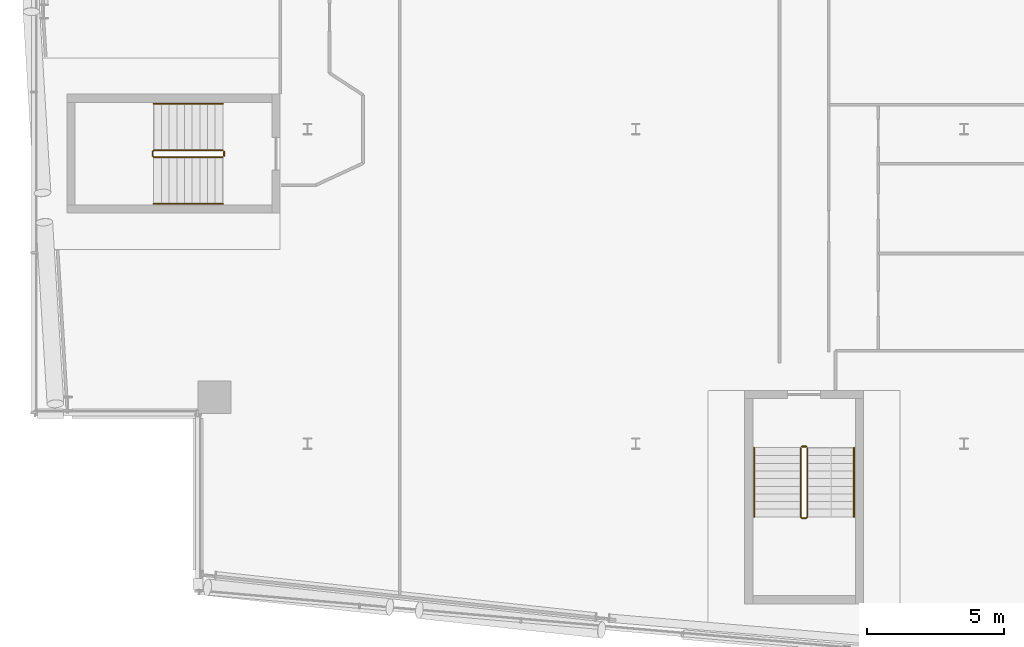
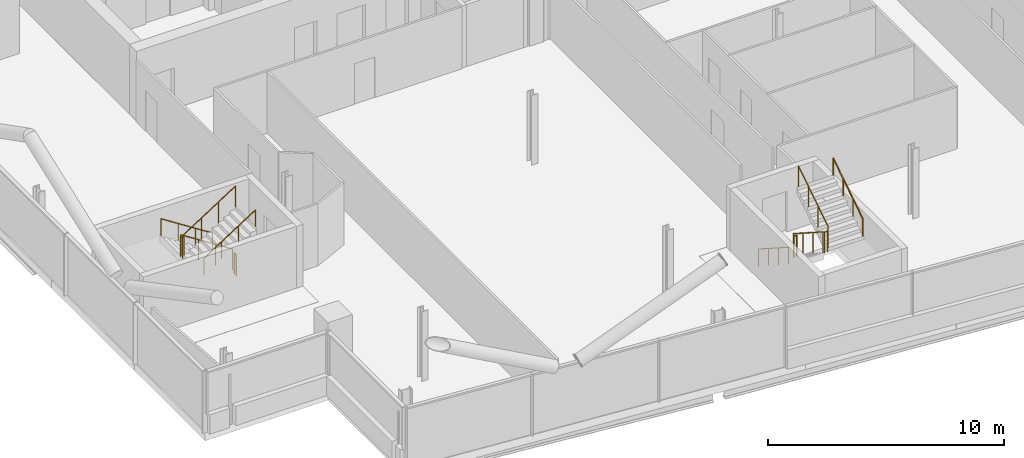
# One storey, part 24 of 26: 8 railings.
"""IFC4 building model written with IfcOpenShell, lengths in metres."""

from ifc_helpers import new_model, si_unit, direction, frame, origin, origin_2d, place, context, subcontext, project, spatial, circle, extrude, material, type_object, element, save


model = new_model("IFC4")

# Units and contexts
model_context = context("Model", 3, precision=1e-05, world=origin(), true_north=direction((0.0, 1.0)))
body_context = subcontext(model_context, "Body", "Model", "MODEL_VIEW")
ifc_project = project(units=[si_unit("LENGTHUNIT", "METRE"), si_unit("AREAUNIT", "SQUARE_METRE"), si_unit("VOLUMEUNIT", "CUBIC_METRE"), si_unit("PLANEANGLEUNIT", "RADIAN"), si_unit("MASSUNIT", "GRAM", prefix="KILO")], contexts=[model_context])

# Site, building, storey
site_placement = place(None, origin())
site = spatial("IfcSite", under=ifc_project, at=site_placement, CompositionType="ELEMENT")
building_placement = place(site_placement, origin())
building = spatial("IfcBuilding", under=site, at=building_placement, Name="Wharfspan Tower", CompositionType="ELEMENT")
storey_placement = place(building_placement, frame((0.0, 0.0, 235.899902)))
storey = spatial("IfcBuildingStorey", under=building, at=storey_placement, Name="L59", CompositionType="ELEMENT", Elevation=235.899902)

# Railings
ifc_material = material(Name="Steel S355J2", Category="steel")
railing_type_1 = type_object("IfcRailingType", Name="Stair guard 1100", PredefinedType="GUARDRAIL", material=ifc_material)
railing_1_placement = place(storey_placement, frame((20.899902, 22.225098, 0.180176)))
element("IfcRailing", 1, at=railing_1_placement, inside=storey, type_object=railing_type_1, Name="L59 ST3 stair guard 1", PredefinedType="GUARDRAIL", context=body_context, shape_type="SweptSolid", body=[
    extrude(circle(Radius=0.023926, at=origin_2d()), frame((0.0, 0.0, 1.076172), z_axis=(-0.8412, 0.0, 0.540725), x_axis=(0.0, -1.0, 0.0)), (0.0, 0.0, 1.0), 2.99585),
    extrude(circle(Radius=0.023926, at=origin_2d()), frame((-2.52002, 0.0, 2.695801), z_axis=(-0.705376, -0.708834, 0.0), x_axis=(0.708834, -0.705376, 0.0)), (0.0, 0.0, 1.0), 0.070557),
    extrude(circle(Radius=0.023926, at=origin_2d()), frame((-2.569824, -0.050049, 2.695801), z_axis=(0.0, -1.0, 0.0), x_axis=(1.0, 0.0, 0.0)), (0.0, 0.0, 1.0), 0.150146),
    extrude(circle(Radius=0.023926, at=origin_2d()), frame((-2.569824, -0.200195, 2.695801), z_axis=(0.257753, -0.257753, 0.931196), x_axis=(0.707107, 0.707107, 0.0)), (0.0, 0.0, 1.0), 0.193115),
    extrude(circle(Radius=0.023926, at=origin_2d()), frame((-2.52002, -0.25, 2.875977), z_axis=(0.841163, 0.0, 0.540782), x_axis=(0.0, 1.0, 0.0)), (0.0, 0.0, 1.0), 2.99585),
    extrude(circle(Radius=0.020996, at=origin_2d()), origin(), (0.0, 0.0, 1.0), 1.052002),
    extrude(circle(Radius=0.020996, at=origin_2d()), frame((-0.840088, 0.0, 0.540039)), (0.0, 0.0, 1.0), 1.052002),
    extrude(circle(Radius=0.020996, at=origin_2d()), frame((-1.679932, 0.0, 1.079834)), (0.0, 0.0, 1.0), 1.052002),
    extrude(circle(Radius=0.020996, at=origin_2d()), frame((-2.52002, 0.0, 1.619873)), (0.0, 0.0, 1.0), 1.052002),
    extrude(circle(Radius=0.020996, at=origin_2d()), frame((-2.569824, -0.050049, 1.619873)), (0.0, 0.0, 1.0), 1.052002),
    extrude(circle(Radius=0.020996, at=origin_2d()), frame((-2.569824, -0.200195, 1.619873)), (0.0, 0.0, 1.0), 1.052002),
    extrude(circle(Radius=0.020996, at=origin_2d()), frame((-2.52002, -0.25, 1.799805)), (0.0, 0.0, 1.0), 1.052002),
    extrude(circle(Radius=0.020996, at=origin_2d()), frame((-1.679932, -0.25, 2.339844)), (0.0, 0.0, 1.0), 1.052002),
    extrude(circle(Radius=0.020996, at=origin_2d()), frame((-0.840088, -0.25, 2.879883)), (0.0, 0.0, 1.0), 1.052002),
    extrude(circle(Radius=0.020996, at=origin_2d()), frame((0.0, -0.25, 3.419922)), (0.0, 0.0, 1.0), 1.052002),
])
railing_2_placement = place(storey_placement, frame((20.949951, 22.175049, 0.0)))
element("IfcRailing", 2, at=railing_2_placement, inside=storey, type_object=railing_type_1, Name="L59 ST3 stair guard 2", PredefinedType="GUARDRAIL", context=body_context, shape_type="SweptSolid", body=[
    extrude(circle(Radius=0.023926, at=origin_2d()), frame((0.0, 0.0, 1.076172), z_axis=(0.0, -1.0, 0.0), x_axis=(1.0, 0.0, 0.0)), (0.0, 0.0, 1.0), 0.150146),
    extrude(circle(Radius=0.020996, at=origin_2d()), origin(), (0.0, 0.0, 1.0), 1.052002),
    extrude(circle(Radius=0.020996, at=origin_2d()), frame((0.0, -0.150146, 0.0)), (0.0, 0.0, 1.0), 1.052002),
])
railing_3_placement = place(storey_placement, frame((42.0271, 11.343262, 0.180176)))
element("IfcRailing", 3, at=railing_3_placement, inside=storey, type_object=railing_type_1, Name="L59 ST4 stair guard 1", PredefinedType="GUARDRAIL", context=body_context, shape_type="SweptSolid", body=[
    extrude(circle(Radius=0.023926, at=origin_2d()), frame((0.0, 0.0, 1.076172), z_axis=(0.0, -0.8412, 0.540725), x_axis=(1.0, 0.0, 0.0)), (0.0, 0.0, 1.0), 2.99585),
    extrude(circle(Radius=0.023926, at=origin_2d()), frame((0.0, -2.52002, 2.695801), z_axis=(0.707107, -0.707107, 0.0), x_axis=(0.707107, 0.707107, 0.0)), (0.0, 0.0, 1.0), 0.070801),
    extrude(circle(Radius=0.023926, at=origin_2d()), frame((0.050049, -2.570068, 2.695801), z_axis=(1.0, 0.0, 0.0), x_axis=(0.0, 1.0, 0.0)), (0.0, 0.0, 1.0), 0.149902),
    extrude(circle(Radius=0.023926, at=origin_2d()), frame((0.199951, -2.570068, 2.695801), z_axis=(0.258848, 0.258848, 0.930589), x_axis=(-0.707107, 0.707107, 0.0)), (0.0, 0.0, 1.0), 0.193359),
    extrude(circle(Radius=0.023926, at=origin_2d()), frame((0.25, -2.52002, 2.875977), z_axis=(0.0, 0.841163, 0.540782), x_axis=(-1.0, 0.0, 0.0)), (0.0, 0.0, 1.0), 2.99585),
    extrude(circle(Radius=0.020996, at=origin_2d()), origin(), (0.0, 0.0, 1.0), 1.052002),
    extrude(circle(Radius=0.020996, at=origin_2d()), frame((0.0, -0.840088, 0.540039)), (0.0, 0.0, 1.0), 1.052002),
    extrude(circle(Radius=0.020996, at=origin_2d()), frame((0.0, -1.679932, 1.079834)), (0.0, 0.0, 1.0), 1.052002),
    extrude(circle(Radius=0.020996, at=origin_2d()), frame((0.0, -2.52002, 1.619873)), (0.0, 0.0, 1.0), 1.052002),
    extrude(circle(Radius=0.020996, at=origin_2d()), frame((0.050049, -2.570068, 1.619873)), (0.0, 0.0, 1.0), 1.052002),
    extrude(circle(Radius=0.020996, at=origin_2d()), frame((0.199951, -2.570068, 1.619873)), (0.0, 0.0, 1.0), 1.052002),
    extrude(circle(Radius=0.020996, at=origin_2d()), frame((0.25, -2.52002, 1.799805)), (0.0, 0.0, 1.0), 1.052002),
    extrude(circle(Radius=0.020996, at=origin_2d()), frame((0.25, -1.679932, 2.339844)), (0.0, 0.0, 1.0), 1.052002),
    extrude(circle(Radius=0.020996, at=origin_2d()), frame((0.25, -0.840088, 2.879883)), (0.0, 0.0, 1.0), 1.052002),
    extrude(circle(Radius=0.020996, at=origin_2d()), frame((0.25, 0.0, 3.419922)), (0.0, 0.0, 1.0), 1.052002),
])
railing_4_placement = place(storey_placement, frame((42.077148, 11.393311, 0.0)))
element("IfcRailing", 4, at=railing_4_placement, inside=storey, type_object=railing_type_1, Name="L59 ST4 stair guard 2", PredefinedType="GUARDRAIL", context=body_context, shape_type="SweptSolid", body=[
    extrude(circle(Radius=0.023926, at=origin_2d()), frame((0.0, 0.0, 1.076172), z_axis=(1.0, 0.0, 0.0), x_axis=(0.0, 1.0, 0.0)), (0.0, 0.0, 1.0), 0.149902),
    extrude(circle(Radius=0.020996, at=origin_2d()), origin(), (0.0, 0.0, 1.0), 1.052002),
    extrude(circle(Radius=0.020996, at=origin_2d()), frame((0.149902, 0.0, 0.0)), (0.0, 0.0, 1.0), 1.052002),
])
railing_type_2 = type_object("IfcRailingType", Name="Stair handrail 900", PredefinedType="HANDRAIL", material=ifc_material)
railing_5_placement = place(storey_placement, frame((20.899902, 23.925049, 0.180176)))
element("IfcRailing", 5, at=railing_5_placement, inside=storey, type_object=railing_type_2, Name="L59 ST3 stair handrail 1", PredefinedType="HANDRAIL", context=body_context, shape_type="SweptSolid", body=[
    extrude(circle(Radius=0.023926, at=origin_2d()), frame((0.0, 0.0, 0.875977), z_axis=(-0.8412, 0.0, 0.540725), x_axis=(0.0, -1.0, 0.0)), (0.0, 0.0, 1.0), 2.99585),
    extrude(circle(Radius=0.020996, at=origin_2d()), origin(), (0.0, 0.0, 1.0), 0.851807),
    extrude(circle(Radius=0.020996, at=origin_2d()), frame((-0.840088, 0.0, 0.540039)), (0.0, 0.0, 1.0), 0.851807),
    extrude(circle(Radius=0.020996, at=origin_2d()), frame((-1.679932, 0.0, 1.079834)), (0.0, 0.0, 1.0), 0.851807),
    extrude(circle(Radius=0.020996, at=origin_2d()), frame((-2.52002, 0.0, 1.619873)), (0.0, 0.0, 1.0), 0.851807),
])
railing_6_placement = place(storey_placement, frame((18.379883, 20.274902, 1.97998)))
element("IfcRailing", 6, at=railing_6_placement, inside=storey, type_object=railing_type_2, Name="L59 ST3 stair handrail 2", PredefinedType="HANDRAIL", context=body_context, shape_type="SweptSolid", body=[
    extrude(circle(Radius=0.023926, at=origin_2d()), frame((0.0, 0.0, 0.875977), z_axis=(0.841163, 0.0, 0.540782), x_axis=(0.0, 1.0, 0.0)), (0.0, 0.0, 1.0), 2.99585),
    extrude(circle(Radius=0.020996, at=origin_2d()), origin(), (0.0, 0.0, 1.0), 0.851807),
    extrude(circle(Radius=0.020996, at=origin_2d()), frame((0.840088, 0.0, 0.540039)), (0.0, 0.0, 1.0), 0.851807),
    extrude(circle(Radius=0.020996, at=origin_2d()), frame((1.679932, 0.0, 1.080078)), (0.0, 0.0, 1.0), 0.851807),
    extrude(circle(Radius=0.020996, at=origin_2d()), frame((2.52002, 0.0, 1.620117)), (0.0, 0.0, 1.0), 0.851807),
])
railing_7_placement = place(storey_placement, frame((40.327148, 11.343262, 0.180176)))
element("IfcRailing", 7, at=railing_7_placement, inside=storey, type_object=railing_type_2, Name="L59 ST4 stair handrail 1", PredefinedType="HANDRAIL", context=body_context, shape_type="SweptSolid", body=[
    extrude(circle(Radius=0.023926, at=origin_2d()), frame((0.0, 0.0, 0.875977), z_axis=(0.0, -0.8412, 0.540725), x_axis=(1.0, 0.0, 0.0)), (0.0, 0.0, 1.0), 2.99585),
    extrude(circle(Radius=0.020996, at=origin_2d()), origin(), (0.0, 0.0, 1.0), 0.851807),
    extrude(circle(Radius=0.020996, at=origin_2d()), frame((0.0, -0.840088, 0.540039)), (0.0, 0.0, 1.0), 0.851807),
    extrude(circle(Radius=0.020996, at=origin_2d()), frame((0.0, -1.679932, 1.079834)), (0.0, 0.0, 1.0), 0.851807),
    extrude(circle(Radius=0.020996, at=origin_2d()), frame((0.0, -2.52002, 1.619873)), (0.0, 0.0, 1.0), 0.851807),
])
railing_8_placement = place(storey_placement, frame((43.977051, 8.823242, 1.97998)))
element("IfcRailing", 8, at=railing_8_placement, inside=storey, type_object=railing_type_2, Name="L59 ST4 stair handrail 2", PredefinedType="HANDRAIL", context=body_context, shape_type="SweptSolid", body=[
    extrude(circle(Radius=0.023926, at=origin_2d()), frame((0.0, 0.0, 0.875977), z_axis=(0.0, 0.841163, 0.540782), x_axis=(-1.0, 0.0, 0.0)), (0.0, 0.0, 1.0), 2.99585),
    extrude(circle(Radius=0.020996, at=origin_2d()), origin(), (0.0, 0.0, 1.0), 0.851807),
    extrude(circle(Radius=0.020996, at=origin_2d()), frame((0.0, 0.840088, 0.540039)), (0.0, 0.0, 1.0), 0.851807),
    extrude(circle(Radius=0.020996, at=origin_2d()), frame((0.0, 1.679932, 1.080078)), (0.0, 0.0, 1.0), 0.851807),
    extrude(circle(Radius=0.020996, at=origin_2d()), frame((0.0, 2.52002, 1.620117)), (0.0, 0.0, 1.0), 0.851807),
])

save(model, "model.ifc")
